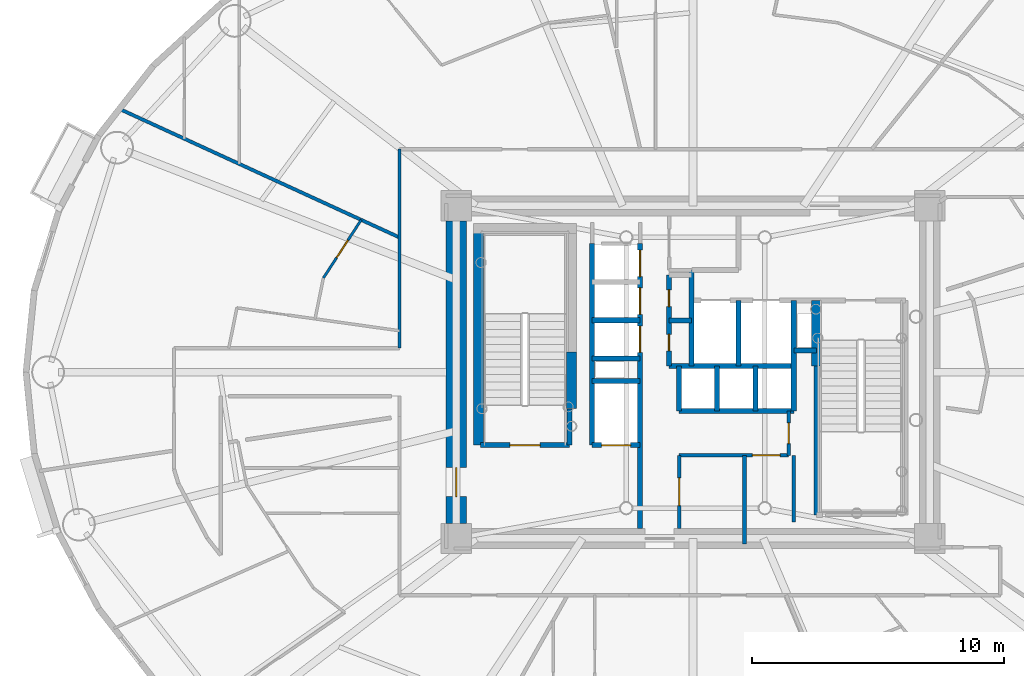
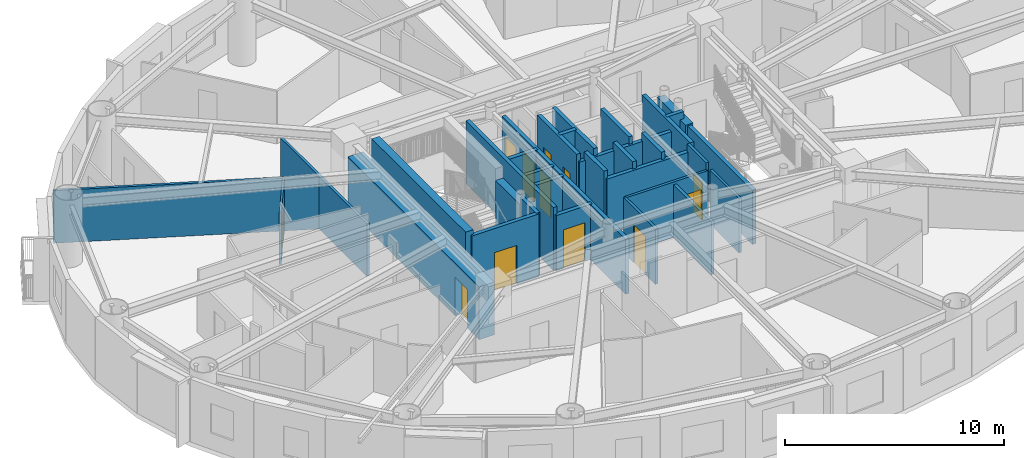
# One storey, part 9 of 20: 32 walls, 12 doors, 12 openings.
"""IFC4 building model written with IfcOpenShell, lengths in metres."""

from ifc_helpers import new_model, si_unit, direction, frame, frame_2d, origin, origin_2d, place, context, subcontext, project, spatial, rectangle, extrude, source, transform, mapped, material, layer, layer_set, type_object, element, fill, save


model = new_model("IFC4")

# Units and contexts
model_context = context("Model", 3, precision=1e-05, world=origin(), true_north=direction((0.0, 1.0)))
body_context = subcontext(model_context, "Body", "Model", "MODEL_VIEW")
ifc_project = project(units=[si_unit("LENGTHUNIT", "METRE"), si_unit("AREAUNIT", "SQUARE_METRE"), si_unit("VOLUMEUNIT", "CUBIC_METRE"), si_unit("PLANEANGLEUNIT", "RADIAN"), si_unit("MASSUNIT", "GRAM", prefix="KILO")], contexts=[model_context])

# Site, building, storey
site_placement = place(None, origin())
site = spatial("IfcSite", under=ifc_project, at=site_placement, CompositionType="ELEMENT")
building_placement = place(site_placement, origin())
building = spatial("IfcBuilding", under=site, at=building_placement, Name="Linh Dai School and Residence Tower", CompositionType="ELEMENT")
storey_placement = place(building_placement, frame((0.0, 0.0, 163.64990234375)))
storey = spatial("IfcBuildingStorey", under=building, at=storey_placement, Name="L39", CompositionType="ELEMENT", Elevation=163.64990234375)

# Walls
ifc_material_1 = material(Name="Autoclaved Aerated Concrete Blockwork", Category="masonry")
ifc_layer_1 = layer(ifc_material_1, 0.135009765625)
ifc_layer_set_1 = layer_set([ifc_layer_1], Name="Autoclaved Aerated Concrete Blockwork")
wall_type_1 = type_object("IfcWallType", Name="IW-CORR-135-EI90", PredefinedType="PARTITIONING", material=ifc_layer_set_1)
wall_1_placement = place(storey_placement, frame((13.228515625, 37.449951171875, 0.0), z_axis=(0.0, 0.0, 1.0), x_axis=(0.908867611309, -0.417084721746, 0.0)))
element("IfcWall", 1, at=wall_1_placement, inside=storey, type_object=wall_type_1, Name="L39 Interior Partition Wall 003", PredefinedType="PARTITIONING", context=body_context, shape_type="SweptSolid", body=[
    extrude(rectangle(XDim=12.23681640625, YDim=0.135009765625, at=frame_2d((6.118408203125, 0.0))), origin(), (0.0, 0.0, 1.0), 2.93505859375),
])
wall_2_placement = place(storey_placement, frame((24.35009765625, 27.949951171875, 0.0), z_axis=(0.0, 0.0, 1.0), x_axis=(0.0, 1.0, 0.0)))
element("IfcWall", 2, at=wall_2_placement, inside=storey, type_object=wall_type_1, Name="L39 Interior Partition Wall 025", PredefinedType="PARTITIONING", context=body_context, shape_type="SweptSolid", body=[
    extrude(rectangle(XDim=7.900146484375, YDim=0.135009765625, at=frame_2d((3.9501953125, 0.0))), origin(), (0.0, 0.0, 1.0), 2.93505859375),
])

# Wall, opening, door
wall_3_placement = place(storey_placement, frame((35.449951171875, 20.800048828125, 0.0), z_axis=(0.0, 0.0, 1.0), x_axis=(0.0, 1.0, 0.0)))
wall_3 = element("IfcWall", 3, at=wall_3_placement, inside=storey, type_object=wall_type_1, Name="L39 Interior Partition Wall 054", PredefinedType="PARTITIONING", context=body_context, shape_type="SweptSolid", body=[
    extrude(rectangle(XDim=2.89990234375, YDim=0.135009765625, at=frame_2d((1.449951171875, 0.0))), origin(), (0.0, 0.0, 1.0), 3.085205078125),
])
opening_1_placement = place(wall_3_placement, frame((0.89990234375, 0.0, 0.0)))
opening_1 = element("IfcOpeningElement", 4, at=opening_1_placement, cuts=wall_3, Name="Opening D07", PredefinedType="OPENING", context=body_context, shape_type="SweptSolid", body=[
    extrude(rectangle(XDim=1.10009765625, YDim=2.14990234375, at=origin_2d()), frame((0.550048828125, 0.07763671875, 1.074951171875), z_axis=(0.0, -1.0, 0.0), x_axis=(1.0, 0.0, 0.0)), (0.0, 0.0, 1.0), 0.155029296875),
])
ifc_material_2 = material(Name="Fire-Rated Louvred Steel Plant Door", Category="steel")
door_type_1 = type_object("IfcDoorType", Name="DR-PLT-1100x2150-FD60S", OperationType="NOTDEFINED", PredefinedType="DOOR", material=ifc_material_2)
shared_shape_1 = source(origin(), body_context, "Body", "SweptSolid", [
    extrude(rectangle(XDim=1.10009765625, YDim=2.14990234375, at=origin_2d()), frame((0.550048828125, 0.02490234375, 1.074951171875), z_axis=(0.0, -1.0, 0.0), x_axis=(1.0, 0.0, 0.0)), (0.0, 0.0, 1.0), 0.050048828125),
])
door_1_placement = place(opening_1_placement, origin())
door_1 = element("IfcDoor", 5, at=door_1_placement, inside=storey, type_object=door_type_1, Name="L39 Floor Electrical Switchroom Door", OperationType="SINGLE_SWING_LEFT", OverallHeight=2.14990234375, OverallWidth=1.10009765625, PredefinedType="DOOR", context=body_context, shape_type="MappedRepresentation", body=[
    mapped(shared_shape_1, transform((0.0, 0.0, 0.0), x_axis=(1.0, 0.0, 0.0), y_axis=(0.0, 1.0, 0.0), z_axis=(0.0, 0.0, 1.0), scale=1.0)),
])
fill(opening_1, door_1)

wall_4_placement = place(storey_placement, frame((35.449951171875, 23.699951171875, 0.0), z_axis=(0.0, 0.0, 1.0), x_axis=(1.0, 0.0, 0.0)))
wall_4 = element("IfcWall", 6, at=wall_4_placement, inside=storey, type_object=wall_type_1, Name="L39 Interior Partition Wall 055", PredefinedType="PARTITIONING", context=body_context, shape_type="SweptSolid", body=[
    extrude(rectangle(XDim=4.35009765625, YDim=0.135009765625, at=frame_2d((2.175048828125, 0.0))), origin(), (0.0, 0.0, 1.0), 3.085205078125),
])
opening_2_placement = place(wall_4_placement, frame((2.905029296875, 0.0, 0.0)))
opening_2 = element("IfcOpeningElement", 7, at=opening_2_placement, cuts=wall_4, Name="Opening D07", PredefinedType="OPENING", context=body_context, shape_type="SweptSolid", body=[
    extrude(rectangle(XDim=1.10009765625, YDim=2.14990234375, at=origin_2d()), frame((0.550048828125, 0.07763671875, 1.074951171875), z_axis=(0.0, -1.0, 0.0), x_axis=(1.0, 0.0, 0.0)), (0.0, 0.0, 1.0), 0.155029296875),
])
door_2_placement = place(opening_2_placement, origin())
door_2 = element("IfcDoor", 8, at=door_2_placement, inside=storey, type_object=door_type_1, Name="L39 Telecom Node Room Door", OperationType="SINGLE_SWING_RIGHT", OverallHeight=2.14990234375, OverallWidth=1.10009765625, PredefinedType="DOOR", context=body_context, shape_type="MappedRepresentation", body=[
    mapped(shared_shape_1, transform((0.0, 0.0, 0.0), x_axis=(1.0, 0.0, 0.0), y_axis=(0.0, 1.0, 0.0), z_axis=(0.0, 0.0, 1.0), scale=1.0)),
])
fill(opening_2, door_2)

wall_5_placement = place(storey_placement, frame((39.800048828125, 23.699951171875, 0.0), z_axis=(0.0, 0.0, 1.0), x_axis=(0.0, 1.0, 0.0)))
wall_5 = element("IfcWall", 9, at=wall_5_placement, inside=storey, type_object=wall_type_1, Name="L39 Interior Partition Wall 070", PredefinedType="PARTITIONING", context=body_context, shape_type="SweptSolid", body=[
    extrude(rectangle(XDim=1.75, YDim=0.135009765625, at=frame_2d((0.875, 0.0))), origin(), (0.0, 0.0, 1.0), 3.5),
])
opening_3_placement = place(wall_5_placement, frame((0.465087890625, 0.0, 0.0)))
opening_3 = element("IfcOpeningElement", 10, at=opening_3_placement, cuts=wall_5, Name="Opening D06", PredefinedType="OPENING", context=body_context, shape_type="SweptSolid", body=[
    extrude(rectangle(XDim=0.820068359375, YDim=2.10009765625, at=origin_2d()), frame((0.41015625, 0.07763671875, 1.050048828125), z_axis=(0.0, -1.0, 0.0), x_axis=(1.0, 0.0, 0.0)), (0.0, 0.0, 1.0), 0.155029296875),
])
ifc_material_3 = material(Name="Moisture-Resistant Timber Bathroom Door", Category="wood")
door_type_2 = type_object("IfcDoorType", Name="DR-WET-820x2100", OperationType="NOTDEFINED", PredefinedType="DOOR", material=ifc_material_3)
shared_shape_2 = source(origin(), body_context, "Body", "SweptSolid", [
    extrude(rectangle(XDim=0.820068359375, YDim=2.10009765625, at=origin_2d()), frame((0.41015625, 0.02490234375, 1.050048828125), z_axis=(0.0, -1.0, 0.0), x_axis=(1.0, 0.0, 0.0)), (0.0, 0.0, 1.0), 0.050048828125),
])
door_3_placement = place(opening_3_placement, origin())
door_3 = element("IfcDoor", 11, at=door_3_placement, inside=storey, type_object=door_type_2, Name="L39 East Linen Store Door", OperationType="SINGLE_SWING_RIGHT", OverallHeight=2.10009765625, OverallWidth=0.820068359375, PredefinedType="DOOR", context=body_context, shape_type="MappedRepresentation", body=[
    mapped(shared_shape_2, transform((0.0, 0.0, 0.0), x_axis=(1.0, 0.0, 0.0), y_axis=(0.0, 1.0, 0.0), z_axis=(0.0, 0.0, 1.0), scale=1.0)),
])
fill(opening_3, door_3)

# Walls
wall_6_placement = place(storey_placement, frame((40.0, 23.699951171875, 0.0), z_axis=(0.0, 0.0, 1.0), x_axis=(0.0, -1.0, 0.0)))
element("IfcWall", 12, at=wall_6_placement, inside=storey, type_object=wall_type_1, Name="L39 Interior Partition Wall 100", PredefinedType="PARTITIONING", context=body_context, shape_type="SweptSolid", body=[
    extrude(rectangle(XDim=2.639892578125, YDim=0.135009765625, at=frame_2d((1.31982421875, 0.0))), origin(), (0.0, 0.0, 1.0), 3.03515625),
])
ifc_layer_2 = layer(ifc_material_1, 0.14990234375)
ifc_layer_set_2 = layer_set([ifc_layer_2], Name="Autoclaved Aerated Concrete Blockwork")
wall_type_2 = type_object("IfcWallType", Name="IW-SCH-150-EI60", PredefinedType="PARTITIONING", material=ifc_layer_set_2)
wall_7_placement = place(storey_placement, frame((38.050048828125, 20.179931640625, 0.0), z_axis=(0.0, 0.0, 1.0), x_axis=(0.0, 1.0, 0.0)))
element("IfcWall", 13, at=wall_7_placement, inside=storey, type_object=wall_type_2, Name="L39 Interior Partition Wall 065", PredefinedType="PARTITIONING", context=body_context, shape_type="SweptSolid", body=[
    extrude(rectangle(XDim=3.52001953125, YDim=0.14990234375, at=frame_2d((1.760009765625, 0.0))), origin(), (0.0, 0.0, 1.0), 2.93505859375),
])

# Wall, opening, door
ifc_material_4 = material(Name="Concrete B45 (C35/45)", Category="concrete")
ifc_layer_3 = layer(ifc_material_4, 0.199951171875)
ifc_layer_set_3 = layer_set([ifc_layer_3], Name="Concrete B45 (C35/45)")
wall_type_3 = type_object("IfcWallType", Name="IW-SHAFT-200-EI120", PredefinedType="PARTITIONING", material=ifc_layer_set_3)
wall_8_placement = place(storey_placement, frame((27.56005859375, 24.10009765625, 0.0), z_axis=(0.0, 0.0, 1.0), x_axis=(1.0, 0.0, 0.0)))
wall_8 = element("IfcWall", 14, at=wall_8_placement, inside=storey, type_object=wall_type_3, Name="L39 Interior Partition Wall 029", PredefinedType="PARTITIONING", context=body_context, shape_type="SweptSolid", body=[
    extrude(rectangle(XDim=3.5400390625, YDim=0.199951171875, at=frame_2d((1.77001953125, 0.0))), origin(), (0.0, 0.0, 1.0), 3.5),
])
opening_4_placement = place(wall_8_placement, frame((1.169921875, 0.0, 0.0)))
opening_4 = element("IfcOpeningElement", 15, at=opening_4_placement, cuts=wall_8, Name="Opening D01", PredefinedType="OPENING", context=body_context, shape_type="SweptSolid", body=[
    extrude(rectangle(XDim=1.199951171875, YDim=2.14990234375, at=origin_2d()), frame((0.60009765625, 0.10986328125, 1.074951171875), z_axis=(0.0, -1.0, 0.0), x_axis=(1.0, 0.0, 0.0)), (0.0, 0.0, 1.0), 0.219970703125),
])
ifc_material_5 = material(Name="Fire-Rated Steel Door Leaf", Category="steel")
door_type_3 = type_object("IfcDoorType", Name="DR-STAIR-1200x2150-FD90S", OperationType="NOTDEFINED", PredefinedType="DOOR", material=ifc_material_5)
shared_shape_3 = source(origin(), body_context, "Body", "SweptSolid", [
    extrude(rectangle(XDim=1.199951171875, YDim=2.14990234375, at=origin_2d()), frame((0.60009765625, 0.02490234375, 1.074951171875), z_axis=(0.0, -1.0, 0.0), x_axis=(1.0, 0.0, 0.0)), (0.0, 0.0, 1.0), 0.050048828125),
])
door_4_placement = place(opening_4_placement, origin())
door_4 = element("IfcDoor", 16, at=door_4_placement, inside=storey, type_object=door_type_3, Name="L39 Core Smokeproof Exit Stair ST1 Door", OperationType="SINGLE_SWING_RIGHT", OverallHeight=2.14990234375, OverallWidth=1.199951171875, PredefinedType="DOOR", context=body_context, shape_type="MappedRepresentation", body=[
    mapped(shared_shape_3, transform((0.0, 0.0, 0.0), x_axis=(1.0, 0.0, 0.0), y_axis=(0.0, 1.0, 0.0), z_axis=(0.0, 0.0, 1.0), scale=1.0)),
])
fill(opening_4, door_4)

# Walls
wall_9_placement = place(storey_placement, frame((31.10009765625, 24.10009765625, 0.0), z_axis=(0.0, 0.0, 1.0), x_axis=(0.0, 1.0, 0.0)))
element("IfcWall", 17, at=wall_9_placement, inside=storey, type_object=wall_type_3, Name="L39 Interior Partition Wall 034", PredefinedType="PARTITIONING", context=body_context, shape_type="SweptSolid", body=[
    extrude(rectangle(XDim=1.43994140625, YDim=0.199951171875, at=frame_2d((0.719970703125, 0.0))), origin(), (0.0, 0.0, 1.0), 3.5),
])
wall_10_placement = place(storey_placement, frame((32.0, 24.10009765625, 0.0), z_axis=(0.0, 0.0, 1.0), x_axis=(0.0, 1.0, 0.0)))
element("IfcWall", 18, at=wall_10_placement, inside=storey, type_object=wall_type_3, Name="L39 Interior Partition Wall 036", PredefinedType="PARTITIONING", context=body_context, shape_type="SweptSolid", body=[
    extrude(rectangle(XDim=8.0, YDim=0.199951171875, at=frame_2d((4.0, 0.0))), origin(), (0.0, 0.0, 1.0), 3.5),
])

# Wall, opening, door
wall_11_placement = place(storey_placement, frame((32.0, 24.10009765625, 0.0), z_axis=(0.0, 0.0, 1.0), x_axis=(1.0, 0.0, 0.0)))
wall_11 = element("IfcWall", 19, at=wall_11_placement, inside=storey, type_object=wall_type_3, Name="L39 Interior Partition Wall 037", PredefinedType="PARTITIONING", context=body_context, shape_type="SweptSolid", body=[
    extrude(rectangle(XDim=1.89990234375, YDim=0.199951171875, at=frame_2d((0.949951171875, 0.0))), origin(), (0.0, 0.0, 1.0), 3.085205078125),
])
opening_5_placement = place(wall_11_placement, frame((0.375, 0.0, 0.0)))
opening_5 = element("IfcOpeningElement", 20, at=opening_5_placement, cuts=wall_11, Name="Opening LD-FF2", PredefinedType="OPENING", context=body_context, shape_type="SweptSolid", body=[
    extrude(rectangle(XDim=1.14990234375, YDim=2.14990234375, at=origin_2d()), frame((0.574951171875, 0.10986328125, 1.074951171875), z_axis=(0.0, -1.0, 0.0), x_axis=(1.0, 0.0, 0.0)), (0.0, 0.0, 1.0), 0.219970703125),
])
ifc_material_6 = material(Name="Fire-Rated Stainless Steel Firefighting Lift Door", Category="steel")
door_type_4 = type_object("IfcDoorType", Name="DR-LD-FF-1150x2150-FD120", OperationType="DOUBLE_DOOR_SLIDING", PredefinedType="USERDEFINED", material=ifc_material_6)
shared_shape_4 = source(origin(), body_context, "Body", "SweptSolid", [
    extrude(rectangle(XDim=1.14990234375, YDim=2.14990234375, at=origin_2d()), frame((0.574951171875, 0.02490234375, 1.074951171875), z_axis=(0.0, -1.0, 0.0), x_axis=(1.0, 0.0, 0.0)), (0.0, 0.0, 1.0), 0.050048828125),
])
door_5_placement = place(opening_5_placement, origin())
door_5 = element("IfcDoor", 21, at=door_5_placement, inside=storey, type_object=door_type_4, Name="L39 Lift FF2 Sliding Landing Door", ObjectType="LANDING DOOR", OperationType="DOUBLE_DOOR_SLIDING", OverallHeight=2.14990234375, OverallWidth=1.14990234375, PredefinedType="USERDEFINED", context=body_context, shape_type="MappedRepresentation", body=[
    mapped(shared_shape_4, transform((0.0, 0.0, 0.0), x_axis=(1.0, 0.0, 0.0), y_axis=(0.0, 1.0, 0.0), z_axis=(0.0, 0.0, 1.0), scale=1.0)),
])
fill(opening_5, door_5)

# Walls
for number, where, z_axis, x_axis, name in (
    (22, (32.0, 26.64990234375, 0.0), (0.0, 0.0, 1.0), (1.0, 0.0, 0.0), "L39 Interior Partition Wall 038"),
    (23, (32.0, 27.550048828125, 0.0), (0.0, 0.0, 1.0), (1.0, 0.0, 0.0), "L39 Interior Partition Wall 039"),
    (24, (32.0, 29.06005859375, 0.0), (0.0, 0.0, 1.0), (1.0, 0.0, 0.0), "L39 Interior Partition Wall 040"),
):
    element("IfcWall", number, at=place(storey_placement, frame(where, z_axis=z_axis, x_axis=x_axis)), inside=storey, type_object=wall_type_3, Name=name, PredefinedType="PARTITIONING", context=body_context, shape_type="SweptSolid", body=[
        extrude(rectangle(XDim=1.89990234375, YDim=0.199951171875, at=frame_2d((0.949951171875, 0.0))), origin(), (0.0, 0.0, 1.0), 3.085205078125),
    ])

# Wall, openings, doors
wall_12_placement = place(storey_placement, frame((33.89990234375, 20.800048828125, 0.0), z_axis=(0.0, 0.0, 1.0), x_axis=(0.0, 1.0, 0.0)))
wall_12 = element("IfcWall", 25, at=wall_12_placement, inside=storey, type_object=wall_type_3, Name="L39 Interior Partition Wall 045", PredefinedType="PARTITIONING", context=body_context, shape_type="SweptSolid", body=[
    extrude(rectangle(XDim=11.300048828125, YDim=0.199951171875, at=frame_2d((5.64990234375, 0.0))), origin(), (0.0, 0.0, 1.0), 3.085205078125),
])
opening_6_placement = place(wall_12_placement, frame((6.97998046875, 0.0, 0.0)))
opening_6 = element("IfcOpeningElement", 26, at=opening_6_placement, cuts=wall_12, Name="Opening LD-PL4", PredefinedType="OPENING", context=body_context, shape_type="SweptSolid", body=[
    extrude(rectangle(XDim=1.050048828125, YDim=2.14990234375, at=origin_2d()), frame((0.52490234375, 0.10986328125, 1.074951171875), z_axis=(0.0, -1.0, 0.0), x_axis=(1.0, 0.0, 0.0)), (0.0, 0.0, 1.0), 0.219970703125),
])
opening_7_placement = place(wall_12_placement, frame((8.4951171875, 0.0, 0.0)))
opening_7 = element("IfcOpeningElement", 27, at=opening_7_placement, cuts=wall_12, Name="Opening LD-PL5", PredefinedType="OPENING", context=body_context, shape_type="SweptSolid", body=[
    extrude(rectangle(XDim=1.050048828125, YDim=2.14990234375, at=origin_2d()), frame((0.52490234375, 0.10986328125, 1.074951171875), z_axis=(0.0, -1.0, 0.0), x_axis=(1.0, 0.0, 0.0)), (0.0, 0.0, 1.0), 0.219970703125),
])
opening_8_placement = place(wall_12_placement, frame((9.9951171875, 0.0, 0.0)))
opening_8 = element("IfcOpeningElement", 28, at=opening_8_placement, cuts=wall_12, Name="Opening LD-PL6", PredefinedType="OPENING", context=body_context, shape_type="SweptSolid", body=[
    extrude(rectangle(XDim=1.050048828125, YDim=2.14990234375, at=origin_2d()), frame((0.52490234375, 0.10986328125, 1.074951171875), z_axis=(0.0, -1.0, 0.0), x_axis=(1.0, 0.0, 0.0)), (0.0, 0.0, 1.0), 0.219970703125),
])
ifc_material_7 = material(Name="Brushed Stainless Steel Lift Landing Door", Category="steel")
door_type_5 = type_object("IfcDoorType", Name="DR-LD-PASS-1050x2150", OperationType="DOUBLE_DOOR_SLIDING", PredefinedType="USERDEFINED", material=ifc_material_7)
shared_shape_5 = source(origin(), body_context, "Body", "SweptSolid", [
    extrude(rectangle(XDim=1.050048828125, YDim=2.14990234375, at=origin_2d()), frame((0.52490234375, 0.02490234375, 1.074951171875), z_axis=(0.0, -1.0, 0.0), x_axis=(1.0, 0.0, 0.0)), (0.0, 0.0, 1.0), 0.050048828125),
])
door_6_placement = place(opening_6_placement, origin())
door_6 = element("IfcDoor", 29, at=door_6_placement, inside=storey, type_object=door_type_5, Name="L39 Lift PL4 Sliding Landing Door", ObjectType="LANDING DOOR", OperationType="DOUBLE_DOOR_SLIDING", OverallHeight=2.14990234375, OverallWidth=1.050048828125, PredefinedType="USERDEFINED", context=body_context, shape_type="MappedRepresentation", body=[
    mapped(shared_shape_5, transform((0.0, 0.0, 0.0), x_axis=(1.0, 0.0, 0.0), y_axis=(0.0, 1.0, 0.0), z_axis=(0.0, 0.0, 1.0), scale=1.0)),
])
fill(opening_6, door_6)
door_7_placement = place(opening_7_placement, origin())
door_7 = element("IfcDoor", 30, at=door_7_placement, inside=storey, type_object=door_type_5, Name="L39 Lift PL5 Sliding Landing Door", ObjectType="LANDING DOOR", OperationType="DOUBLE_DOOR_SLIDING", OverallHeight=2.14990234375, OverallWidth=1.050048828125, PredefinedType="USERDEFINED", context=body_context, shape_type="MappedRepresentation", body=[
    mapped(shared_shape_5, transform((0.0, 0.0, 0.0), x_axis=(1.0, 0.0, 0.0), y_axis=(0.0, 1.0, 0.0), z_axis=(0.0, 0.0, 1.0), scale=1.0)),
])
fill(opening_7, door_7)
door_8_placement = place(opening_8_placement, origin())
door_8 = element("IfcDoor", 31, at=door_8_placement, inside=storey, type_object=door_type_5, Name="L39 Lift PL6 Sliding Landing Door", ObjectType="LANDING DOOR", OperationType="DOUBLE_DOOR_SLIDING", OverallHeight=2.14990234375, OverallWidth=1.050048828125, PredefinedType="USERDEFINED", context=body_context, shape_type="MappedRepresentation", body=[
    mapped(shared_shape_5, transform((0.0, 0.0, 0.0), x_axis=(1.0, 0.0, 0.0), y_axis=(0.0, 1.0, 0.0), z_axis=(0.0, 0.0, 1.0), scale=1.0)),
])
fill(opening_8, door_8)

wall_13_placement = place(storey_placement, frame((35.050048828125, 27.25, 0.0), z_axis=(0.0, 0.0, 1.0), x_axis=(0.0, 1.0, 0.0)))
wall_13 = element("IfcWall", 32, at=wall_13_placement, inside=storey, type_object=wall_type_3, Name="L39 Interior Partition Wall 048", PredefinedType="PARTITIONING", context=body_context, shape_type="SweptSolid", body=[
    extrude(rectangle(XDim=3.60009765625, YDim=0.199951171875, at=frame_2d((1.800048828125, 0.0))), origin(), (0.0, 0.0, 1.0), 3.5),
])
opening_9_placement = place(wall_13_placement, frame((0.590087890625, 0.0, 0.0)))
opening_9 = element("IfcOpeningElement", 33, at=opening_9_placement, cuts=wall_13, Name="Opening AD1", PredefinedType="OPENING", context=body_context, shape_type="SweptSolid", body=[
    extrude(rectangle(XDim=0.659912109375, YDim=2.050048828125, at=origin_2d()), frame((0.330078125, 0.10986328125, 1.02490234375), z_axis=(0.0, -1.0, 0.0), x_axis=(1.0, 0.0, 0.0)), (0.0, 0.0, 1.0), 0.219970703125),
])
opening_10_placement = place(wall_13_placement, frame((2.35009765625, 0.0, 0.0)))
opening_10 = element("IfcOpeningElement", 34, at=opening_10_placement, cuts=wall_13, Name="Opening AD1", PredefinedType="OPENING", context=body_context, shape_type="SweptSolid", body=[
    extrude(rectangle(XDim=0.659912109375, YDim=2.050048828125, at=origin_2d()), frame((0.330078125, 0.10986328125, 1.02490234375), z_axis=(0.0, -1.0, 0.0), x_axis=(1.0, 0.0, 0.0)), (0.0, 0.0, 1.0), 0.219970703125),
])
ifc_material_8 = material(Name="Fire-Rated Steel Riser Access Door", Category="steel")
door_type_6 = type_object("IfcDoorType", Name="DR-ACC-660x2050-FD90S", OperationType="NOTDEFINED", PredefinedType="USERDEFINED", material=ifc_material_8)
shared_shape_6 = source(origin(), body_context, "Body", "SweptSolid", [
    extrude(rectangle(XDim=0.659912109375, YDim=2.050048828125, at=origin_2d()), frame((0.330078125, 0.02490234375, 1.02490234375), z_axis=(0.0, -1.0, 0.0), x_axis=(1.0, 0.0, 0.0)), (0.0, 0.0, 1.0), 0.050048828125),
])
door_9_placement = place(opening_9_placement, origin())
door_9 = element("IfcDoor", 35, at=door_9_placement, inside=storey, type_object=door_type_6, Name="L39 Telecom and Data Riser Access Door", ObjectType="ACCESS DOOR", OperationType="SINGLE_SWING_LEFT", OverallHeight=2.050048828125, OverallWidth=0.659912109375, PredefinedType="USERDEFINED", context=body_context, shape_type="MappedRepresentation", body=[
    mapped(shared_shape_6, transform((0.0, 0.0, 0.0), x_axis=(1.0, 0.0, 0.0), y_axis=(0.0, 1.0, 0.0), z_axis=(0.0, 0.0, 1.0), scale=1.0)),
])
fill(opening_9, door_9)
door_10_placement = place(opening_10_placement, origin())
door_10 = element("IfcDoor", 36, at=door_10_placement, inside=storey, type_object=door_type_6, Name="L39 Mechanical and Plumbing Riser Access Door", ObjectType="ACCESS DOOR", OperationType="SINGLE_SWING_RIGHT", OverallHeight=2.050048828125, OverallWidth=0.659912109375, PredefinedType="USERDEFINED", context=body_context, shape_type="MappedRepresentation", body=[
    mapped(shared_shape_6, transform((0.0, 0.0, 0.0), x_axis=(1.0, 0.0, 0.0), y_axis=(0.0, 1.0, 0.0), z_axis=(0.0, 0.0, 1.0), scale=1.0)),
])
fill(opening_10, door_10)

# Walls
wall_14_placement = place(storey_placement, frame((35.050048828125, 27.25, 0.0), z_axis=(0.0, 0.0, 1.0), x_axis=(1.0, 0.0, 0.0)))
element("IfcWall", 37, at=wall_14_placement, inside=storey, type_object=wall_type_3, Name="L39 Interior Partition Wall 049", PredefinedType="PARTITIONING", context=body_context, shape_type="SweptSolid", body=[
    extrude(rectangle(XDim=4.949951171875, YDim=0.199951171875, at=frame_2d((2.47509765625, 0.0))), origin(), (0.0, 0.0, 1.0), 3.085205078125),
])
wall_15_placement = place(storey_placement, frame((35.050048828125, 29.050048828125, 0.0), z_axis=(0.0, 0.0, 1.0), x_axis=(1.0, 0.0, 0.0)))
element("IfcWall", 38, at=wall_15_placement, inside=storey, type_object=wall_type_3, Name="L39 Interior Partition Wall 050", PredefinedType="PARTITIONING", context=body_context, shape_type="SweptSolid", body=[
    extrude(rectangle(XDim=0.89990234375, YDim=0.199951171875, at=frame_2d((0.449951171875, 0.0))), origin(), (0.0, 0.0, 1.0), 3.5),
])
wall_16_placement = place(storey_placement, frame((35.449951171875, 25.449951171875, 0.0), z_axis=(0.0, 0.0, 1.0), x_axis=(0.0, 1.0, 0.0)))
element("IfcWall", 39, at=wall_16_placement, inside=storey, type_object=wall_type_3, Name="L39 Interior Partition Wall 056", PredefinedType="PARTITIONING", context=body_context, shape_type="SweptSolid", body=[
    extrude(rectangle(XDim=1.800048828125, YDim=0.199951171875, at=frame_2d((0.89990234375, 0.0))), origin(), (0.0, 0.0, 1.0), 3.5),
])
wall_17_placement = place(storey_placement, frame((35.449951171875, 25.449951171875, 0.0), z_axis=(0.0, 0.0, 1.0), x_axis=(1.0, 0.0, 0.0)))
element("IfcWall", 40, at=wall_17_placement, inside=storey, type_object=wall_type_3, Name="L39 Interior Partition Wall 057", PredefinedType="PARTITIONING", context=body_context, shape_type="SweptSolid", body=[
    extrude(rectangle(XDim=4.550048828125, YDim=0.199951171875, at=frame_2d((2.27490234375, 0.0))), origin(), (0.0, 0.0, 1.0), 3.085205078125),
])
wall_18_placement = place(storey_placement, frame((35.949951171875, 27.25, 0.0), z_axis=(0.0, 0.0, 1.0), x_axis=(0.0, 1.0, 0.0)))
element("IfcWall", 41, at=wall_18_placement, inside=storey, type_object=wall_type_3, Name="L39 Interior Partition Wall 059", PredefinedType="PARTITIONING", context=body_context, shape_type="SweptSolid", body=[
    extrude(rectangle(XDim=3.800048828125, YDim=0.199951171875, at=frame_2d((1.89990234375, 0.0))), origin(), (0.0, 0.0, 1.0), 3.5),
])
wall_19_placement = place(storey_placement, frame((36.9599609375, 25.449951171875, 0.0), z_axis=(0.0, 0.0, 1.0), x_axis=(0.0, 1.0, 0.0)))
element("IfcWall", 42, at=wall_19_placement, inside=storey, type_object=wall_type_3, Name="L39 Interior Partition Wall 062", PredefinedType="PARTITIONING", context=body_context, shape_type="SweptSolid", body=[
    extrude(rectangle(XDim=1.800048828125, YDim=0.199951171875, at=frame_2d((0.89990234375, 0.0))), origin(), (0.0, 0.0, 1.0), 3.5),
])
wall_20_placement = place(storey_placement, frame((37.800048828125, 27.25, 0.0), z_axis=(0.0, 0.0, 1.0), x_axis=(0.0, 1.0, 0.0)))
element("IfcWall", 43, at=wall_20_placement, inside=storey, type_object=wall_type_3, Name="L39 Interior Partition Wall 063", PredefinedType="PARTITIONING", context=body_context, shape_type="SweptSolid", body=[
    extrude(rectangle(XDim=2.60009765625, YDim=0.199951171875, at=frame_2d((1.300048828125, 0.0))), origin(), (0.0, 0.0, 1.0), 3.5),
])
wall_21_placement = place(storey_placement, frame((38.47998046875, 25.449951171875, 0.0), z_axis=(0.0, 0.0, 1.0), x_axis=(0.0, 1.0, 0.0)))
element("IfcWall", 44, at=wall_21_placement, inside=storey, type_object=wall_type_3, Name="L39 Interior Partition Wall 066", PredefinedType="PARTITIONING", context=body_context, shape_type="SweptSolid", body=[
    extrude(rectangle(XDim=1.800048828125, YDim=0.199951171875, at=frame_2d((0.89990234375, 0.0))), origin(), (0.0, 0.0, 1.0), 3.5),
])
wall_22_placement = place(storey_placement, frame((40.0, 25.449951171875, 0.0), z_axis=(0.0, 0.0, 1.0), x_axis=(0.0, 1.0, 0.0)))
element("IfcWall", 45, at=wall_22_placement, inside=storey, type_object=wall_type_3, Name="L39 Interior Partition Wall 071", PredefinedType="PARTITIONING", context=body_context, shape_type="SweptSolid", body=[
    extrude(rectangle(XDim=4.400146484375, YDim=0.199951171875, at=frame_2d((2.2001953125, 0.0))), origin(), (0.0, 0.0, 1.0), 3.5),
])
wall_23_placement = place(storey_placement, frame((40.0, 27.85009765625, 0.0), z_axis=(0.0, 0.0, 1.0), x_axis=(1.0, 0.0, 0.0)))
element("IfcWall", 46, at=wall_23_placement, inside=storey, type_object=wall_type_3, Name="L39 Interior Partition Wall 072", PredefinedType="PARTITIONING", context=body_context, shape_type="SweptSolid", body=[
    extrude(rectangle(XDim=0.89990234375, YDim=0.199951171875, at=frame_2d((0.449951171875, 0.0))), origin(), (0.0, 0.0, 1.0), 3.5),
])
wall_24_placement = place(storey_placement, frame((40.89990234375, 21.330078125, 0.0), z_axis=(0.0, 0.0, 1.0), x_axis=(0.0, 1.0, 0.0)))
element("IfcWall", 47, at=wall_24_placement, inside=storey, type_object=wall_type_3, Name="L39 Interior Partition Wall 074", PredefinedType="PARTITIONING", context=body_context, shape_type="SweptSolid", body=[
    extrude(rectangle(XDim=5.909912109375, YDim=0.199951171875, at=frame_2d((2.955078125, 0.0))), origin(), (0.0, 0.0, 1.0), 3.03515625),
])

# Wall, opening, door
ifc_material_9 = material(Name="Gypsum Plasterboard Acoustic Stud Partition", Category="masonry")
ifc_layer_4 = layer(ifc_material_9, 0.10009765625)
ifc_layer_set_4 = layer_set([ifc_layer_4], Name="Gypsum Plasterboard Acoustic Stud Partition")
wall_type_4 = type_object("IfcWallType", Name="IW-UNIT-100", PredefinedType="PARTITIONING", material=ifc_layer_set_4)
wall_25_placement = place(storey_placement, frame((21.3271484375, 30.7333984375, 0.0), z_axis=(0.0, 0.0, 1.0), x_axis=(0.545365017792, 0.838198662233, 0.0)))
wall_25 = element("IfcWall", 48, at=wall_25_placement, inside=storey, type_object=wall_type_4, Name="L39 Interior Partition Wall 021", PredefinedType="PARTITIONING", context=body_context, shape_type="SweptSolid", body=[
    extrude(rectangle(XDim=2.75634765625, YDim=0.10009765625, at=frame_2d((1.378173828125, 0.0))), origin(), (0.0, 0.0, 1.0), 2.93505859375),
])
opening_11_placement = place(wall_25_placement, frame((0.968017578125, 0.0, 0.0)))
opening_11 = element("IfcOpeningElement", 49, at=opening_11_placement, cuts=wall_25, Name="Opening D06", PredefinedType="OPENING", context=body_context, shape_type="SweptSolid", body=[
    extrude(rectangle(XDim=0.820068359375, YDim=2.10009765625, at=origin_2d()), frame((0.41015625, 0.06005859375, 1.050048828125), z_axis=(0.0, -1.0, 0.0), x_axis=(1.0, 0.0, 0.0)), (0.0, 0.0, 1.0), 0.1201171875),
])
door_11_placement = place(opening_11_placement, origin())
door_11 = element("IfcDoor", 50, at=door_11_placement, inside=storey, type_object=door_type_2, Name="L39 Apartment U3904 Bathroom Door", OperationType="SINGLE_SWING_RIGHT", OverallHeight=2.10009765625, OverallWidth=0.820068359375, PredefinedType="DOOR", context=body_context, shape_type="MappedRepresentation", body=[
    mapped(shared_shape_2, transform((0.0, 0.0, 0.0), x_axis=(1.0, 0.0, 0.0), y_axis=(0.0, 1.0, 0.0), z_axis=(0.0, 0.0, 1.0), scale=1.0)),
])
fill(opening_11, door_11)

# Walls
ifc_layer_5 = layer(ifc_material_4, 0.39990234375)
ifc_layer_set_5 = layer_set([ifc_layer_5], Name="Concrete B45 (C35/45)")
wall_type_5 = type_object("IfcWallType", Name="WL-CORE400", PredefinedType="SHEAR", material=ifc_layer_set_5)
wall_26_placement = place(storey_placement, frame((27.47998046875, 24.10009765625, 0.0), z_axis=(0.0, 0.0, 1.0), x_axis=(0.0, 1.0, 0.0)))
element("IfcWall", 51, at=wall_26_placement, inside=storey, type_object=wall_type_5, Name="L39 Core Stair ST1 Bearing Wall W", PredefinedType="SHEAR", context=body_context, shape_type="SweptSolid", body=[
    extrude(rectangle(XDim=8.599853515625, YDim=0.39990234375, at=frame_2d((4.2998046875, 0.0))), origin(), (0.0, 0.0, 1.0), 3.75),
])
wall_27_placement = place(storey_placement, frame((31.179931640625, 25.550048828125, 0.0), z_axis=(0.0, 0.0, 1.0), x_axis=(0.0, 1.0, 0.0)))
element("IfcWall", 52, at=wall_27_placement, inside=storey, type_object=wall_type_5, Name="L39 Internal Core Shear Wall IW", PredefinedType="SHEAR", context=body_context, shape_type="SweptSolid", body=[
    extrude(rectangle(XDim=2.25, YDim=0.39990234375, at=frame_2d((1.125, 0.0))), origin(), (0.0, 0.0, 1.0), 3.10009765625),
])
wall_28_placement = place(storey_placement, frame((40.89990234375, 27.25, 0.0), z_axis=(0.0, 0.0, 1.0), x_axis=(0.0, 1.0, 0.0)))
element("IfcWall", 53, at=wall_28_placement, inside=storey, type_object=wall_type_5, Name="L39 Internal Core Shear Wall IE", PredefinedType="SHEAR", context=body_context, shape_type="SweptSolid", body=[
    extrude(rectangle(XDim=2.60009765625, YDim=0.39990234375, at=frame_2d((1.300048828125, 0.0))), origin(), (0.0, 0.0, 1.0), 3.10009765625),
])

# Wall, opening, door
ifc_material_10 = material(Name="Concrete B60 (C50/60)", Category="concrete")
ifc_layer_6 = layer(ifc_material_10, 0.800048828125)
ifc_layer_set_6 = layer_set([ifc_layer_6], Name="Concrete B60 (C50/60)")
wall_type_6 = type_object("IfcWallType", Name="WL-CORE800", PredefinedType="SHEAR", material=ifc_layer_set_6)
wall_29_placement = place(storey_placement, frame((26.60009765625, 21.0, 0.0), z_axis=(0.0, 0.0, 1.0), x_axis=(0.0, 1.0, 0.0)))
wall_29 = element("IfcWall", 54, at=wall_29_placement, inside=storey, type_object=wall_type_6, Name="L39 Central Core Shear Wall W", PredefinedType="SHEAR", context=body_context, shape_type="SweptSolid", body=[
    extrude(rectangle(XDim=12.0, YDim=0.800048828125, at=frame_2d((6.0, 0.0))), origin(), (0.0, 0.0, 1.0), 2.9501953125),
])
opening_12_placement = place(wall_29_placement, frame((1.061279296875, 0.0, 0.0)))
opening_12 = element("IfcOpeningElement", 55, at=opening_12_placement, cuts=wall_29, Name="Opening D02", PredefinedType="OPENING", context=body_context, shape_type="SweptSolid", body=[
    extrude(rectangle(XDim=1.14990234375, YDim=2.14990234375, at=origin_2d()), frame((0.574951171875, 0.41015625, 1.074951171875), z_axis=(0.0, -1.0, 0.0), x_axis=(1.0, 0.0, 0.0)), (0.0, 0.0, 1.0), 0.820068359375),
])
ifc_material_11 = material(Name="Fire-Rated Glazed Steel Lobby Door", Category="steel")
door_type_7 = type_object("IfcDoorType", Name="DR-LOBBY-1150x2150-FD90S", OperationType="NOTDEFINED", PredefinedType="DOOR", material=ifc_material_11)
shared_shape_7 = source(origin(), body_context, "Body", "SweptSolid", [
    extrude(rectangle(XDim=1.14990234375, YDim=2.14990234375, at=origin_2d()), frame((0.574951171875, 0.02490234375, 1.074951171875), z_axis=(0.0, -1.0, 0.0), x_axis=(1.0, 0.0, 0.0)), (0.0, 0.0, 1.0), 0.050048828125),
])
door_12_placement = place(opening_12_placement, origin())
door_12 = element("IfcDoor", 56, at=door_12_placement, inside=storey, type_object=door_type_7, Name="L39 Firefighting Lobby Door", OperationType="SINGLE_SWING_LEFT", OverallHeight=2.14990234375, OverallWidth=1.14990234375, PredefinedType="DOOR", context=body_context, shape_type="MappedRepresentation", body=[
    mapped(shared_shape_7, transform((0.0, 0.0, 0.0), x_axis=(1.0, 0.0, 0.0), y_axis=(0.0, 1.0, 0.0), z_axis=(0.0, 0.0, 1.0), scale=1.0)),
])
fill(opening_12, door_12)

save(model, "model.ifc")
